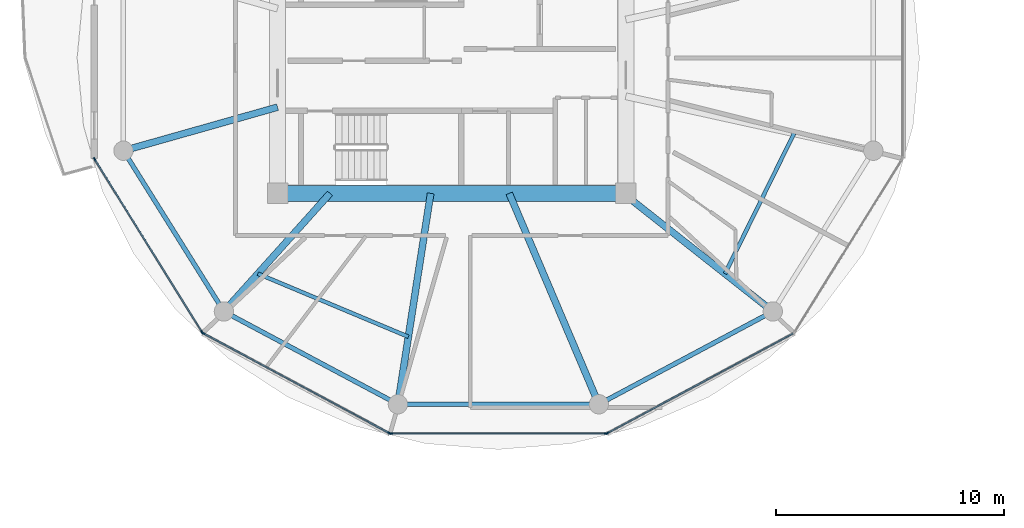
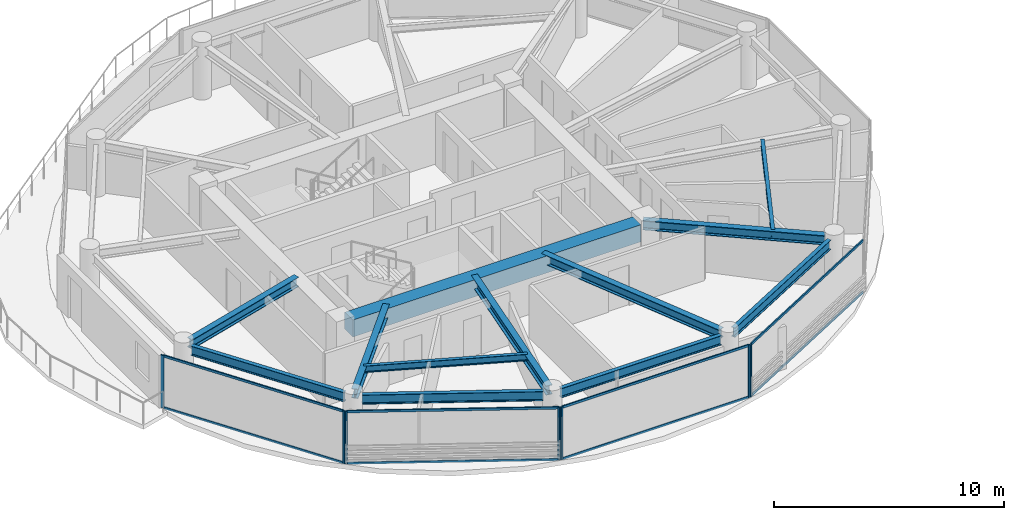
# One storey, part 2 of 24: 15 members, 12 beams, 4 elements without a shape of their own.
"""IFC4 building model written with IfcOpenShell, lengths in metres."""

from ifc_helpers import new_model, si_unit, direction, frame, origin, origin_2d, place, context, subcontext, project, spatial, rectangle, i_section, extrude, source, transform, mapped, material, layer, layer_set, material_profile, profile_set, type_object, type_shapes, element, aggregate, save


model = new_model("IFC4")

# Units and contexts
model_context = context("Model", 3, precision=1e-05, world=origin(), true_north=direction((0.0, 1.0)))
body_context = subcontext(model_context, "Body", "Model", "MODEL_VIEW")
ifc_project = project(units=[si_unit("LENGTHUNIT", "METRE"), si_unit("AREAUNIT", "SQUARE_METRE"), si_unit("VOLUMEUNIT", "CUBIC_METRE"), si_unit("PLANEANGLEUNIT", "RADIAN"), si_unit("MASSUNIT", "GRAM", prefix="KILO")], contexts=[model_context])

# Site, building, storey
site_placement = place(None, origin())
site = spatial("IfcSite", under=ifc_project, at=site_placement, CompositionType="ELEMENT")
building_placement = place(site_placement, origin())
building = spatial("IfcBuilding", under=site, at=building_placement, Name="Norrkilde Senior Care Towers", CompositionType="ELEMENT")
storey_placement = place(building_placement, frame((0.0, 0.0, 90.14990234375)))
storey = spatial("IfcBuildingStorey", under=building, at=storey_placement, Name="L27", CompositionType="ELEMENT", Elevation=90.14990234375)

# Beams
ifc_material_1 = material(Name="Concrete C60/75", Category="concrete")
ifc_material_profile_1 = material_profile(ifc_material_1, rectangle(XDim=0.699951171875, YDim=0.89990234375, at=origin_2d()), Name="RC BM 700x900")
ifc_profile_set_1 = profile_set([ifc_material_profile_1], Name="Concrete C60/75")
beam_type_1 = type_object("IfcBeamType", Name="Core Coupling Girder 700x900", PredefinedType="USERDEFINED", material=ifc_profile_set_1)
shared_shape_1 = source(origin(), body_context, "Body", "SweptSolid", [
    extrude(rectangle(XDim=0.699951171875, YDim=0.89990234375, at=origin_2d()), origin(), (0.0, 0.0, 1.0), 14.43994140625),
])
type_shapes(beam_type_1, [shared_shape_1])
beam_1_placement = place(storey_placement, frame((-35.219970703125, -5.949951171875, 2.340087890625), z_axis=(1.0, 0.0, 0.0), x_axis=(0.0, 1.0, 0.0)))
element("IfcBeam", 1, at=beam_1_placement, inside=storey, type_object=beam_type_1, Name="L27 Core W S Coupling Girder", ObjectType="GIRDER", PredefinedType="USERDEFINED", context=body_context, shape_type="MappedRepresentation", body=[
    mapped(shared_shape_1, transform((0.0, 0.0, 0.0), x_axis=(1.0, 0.0, 0.0), y_axis=(0.0, 1.0, 0.0), z_axis=(0.0, 0.0, 1.0), scale=1.0)),
])
ifc_material_2 = material(Name="Steel S355", Category="steel")
ifc_material_profile_2 = material_profile(ifc_material_2, i_section(OverallWidth=0.199951171875, OverallDepth=0.5, WebThickness=0.01025390625, FlangeThickness=0.01611328125, FilletRadius=0.02099609375, at=origin_2d()), Name="IPE 500")
ifc_profile_set_2 = profile_set([ifc_material_profile_2], Name="Steel S355")
beam_type_2 = type_object("IfcBeamType", Name="Perimeter Ring Spandrel Z2 IPE500", PredefinedType="SPANDREL", material=ifc_profile_set_2)
shared_shape_2 = source(origin(), body_context, "Body", "SweptSolid", [
    extrude(i_section(OverallWidth=0.199951171875, OverallDepth=0.5, WebThickness=0.01025390625, FlangeThickness=0.01611328125, FilletRadius=0.02099609375, at=origin_2d()), origin(), (0.0, 0.0, 1.0), 7.892333984375),
])
for number, where, z_axis, x_axis, name in (
    (2, (-37.66650390625, -11.318115234375, 2.5400390625), (0.882350372282, -0.47059305194, 0.0), (0.47059305194, 0.882350372282, 0.0), "L27 Drum W Perimeter Spandrel 08"),
    (3, (-21.197509765625, -15.0322265625, 2.5400390625), (0.882350372282, 0.47059305194, 0.0), (-0.47059305194, 0.882350372282, 0.0), "L27 Drum W Perimeter Spandrel 10"),
):
    element("IfcBeam", number, at=place(storey_placement, frame(where, z_axis=z_axis, x_axis=x_axis)), inside=storey, type_object=beam_type_2, Name=name, PredefinedType="SPANDREL", context=body_context, shape_type="MappedRepresentation", body=[
        mapped(shared_shape_2, transform((0.0, 0.0, 0.0), x_axis=(1.0, 0.0, 0.0), y_axis=(0.0, 1.0, 0.0), z_axis=(0.0, 0.0, 1.0), scale=1.0)),
    ])
ifc_material_profile_3 = material_profile(ifc_material_2, i_section(OverallWidth=0.300048828125, OverallDepth=0.5, WebThickness=0.014404296875, FlangeThickness=0.028076171875, FilletRadius=0.027099609375, at=origin_2d()), Name="HEB 500")
ifc_profile_set_3 = profile_set([ifc_material_profile_3], Name="Steel S355")
beam_type_3 = type_object("IfcBeamType", Name="Radial Floor Beam Z2 HEB500", PredefinedType="BEAM", material=ifc_profile_set_3)
shared_shape_3 = source(origin(), body_context, "Body", "SweptSolid", [
    extrude(i_section(OverallWidth=0.300048828125, OverallDepth=0.5, WebThickness=0.014404296875, FlangeThickness=0.028076171875, FilletRadius=0.027099609375, at=origin_2d()), origin(), (0.0, 0.0, 1.0), 7.985595703125),
])
beam_2_placement = place(storey_placement, frame((-20.463623046875, -5.949951171875, 2.5400390625), z_axis=(0.784858505144, -0.619675017169, 0.0), x_axis=(0.619675017169, 0.784858505144, 0.0)))
element("IfcBeam", 4, at=beam_2_placement, inside=storey, type_object=beam_type_3, Name="L27 Drum W Radial Floor Beam 11", PredefinedType="BEAM", context=body_context, shape_type="MappedRepresentation", body=[
    mapped(shared_shape_3, transform((0.0, 0.0, 0.0), x_axis=(1.0, 0.0, 0.0), y_axis=(0.0, 1.0, 0.0), z_axis=(0.0, 0.0, 1.0), scale=1.0)),
])
shared_shape_4 = source(origin(), body_context, "Body", "SweptSolid", [
    extrude(i_section(OverallWidth=0.199951171875, OverallDepth=0.5, WebThickness=0.01025390625, FlangeThickness=0.01611328125, FilletRadius=0.02099609375, at=origin_2d()), origin(), (0.0, 0.0, 1.0), 8.0556640625),
])
beam_3_placement = place(storey_placement, frame((-29.977783203125, -15.21337890625, 2.5400390625), z_axis=(1.0, 0.0, 0.0), x_axis=(0.0, 1.0, 0.0)))
element("IfcBeam", 5, at=beam_3_placement, inside=storey, type_object=beam_type_2, Name="L27 Drum W Perimeter Spandrel 09", PredefinedType="SPANDREL", context=body_context, shape_type="MappedRepresentation", body=[
    mapped(shared_shape_4, transform((0.0, 0.0, 0.0), x_axis=(1.0, 0.0, 0.0), y_axis=(0.0, 1.0, 0.0), z_axis=(0.0, 0.0, 1.0), scale=1.0)),
])
shared_shape_5 = source(origin(), body_context, "Body", "SweptSolid", [
    extrude(i_section(OverallWidth=0.300048828125, OverallDepth=0.5, WebThickness=0.014404296875, FlangeThickness=0.028076171875, FilletRadius=0.027099609375, at=origin_2d()), origin(), (0.0, 0.0, 1.0), 9.679443359375),
])
beam_4_placement = place(storey_placement, frame((-25.472412109375, -5.949951171875, 2.5400390625), z_axis=(0.390998033479, -0.920391513333, 0.0), x_axis=(0.920391513333, 0.390998033479, 0.0)))
element("IfcBeam", 6, at=beam_4_placement, inside=storey, type_object=beam_type_3, Name="L27 Drum W Radial Floor Beam 10", PredefinedType="BEAM", context=body_context, shape_type="MappedRepresentation", body=[
    mapped(shared_shape_5, transform((0.0, 0.0, 0.0), x_axis=(1.0, 0.0, 0.0), y_axis=(0.0, 1.0, 0.0), z_axis=(0.0, 0.0, 1.0), scale=1.0)),
])
shared_shape_6 = source(origin(), body_context, "Body", "SweptSolid", [
    extrude(i_section(OverallWidth=0.300048828125, OverallDepth=0.5, WebThickness=0.014404296875, FlangeThickness=0.028076171875, FilletRadius=0.027099609375, at=origin_2d()), origin(), (0.0, 0.0, 1.0), 8.989501953125),
])
beam_5_placement = place(storey_placement, frame((-28.924072265625, -5.949951171875, 2.5400390625), z_axis=(-0.153471298636, -0.988153105796, 0.0), x_axis=(0.988153105796, -0.153471298636, 0.0)))
element("IfcBeam", 7, at=beam_5_placement, inside=storey, type_object=beam_type_3, Name="L27 Drum W Radial Floor Beam 09", PredefinedType="BEAM", context=body_context, shape_type="MappedRepresentation", body=[
    mapped(shared_shape_6, transform((0.0, 0.0, 0.0), x_axis=(1.0, 0.0, 0.0), y_axis=(0.0, 1.0, 0.0), z_axis=(0.0, 0.0, 1.0), scale=1.0)),
])
shared_shape_7 = source(origin(), body_context, "Body", "SweptSolid", [
    extrude(i_section(OverallWidth=0.199951171875, OverallDepth=0.5, WebThickness=0.01025390625, FlangeThickness=0.01611328125, FilletRadius=0.02099609375, at=origin_2d()), origin(), (0.0, 0.0, 1.0), 7.556396484375),
])
type_shapes(beam_type_2, [shared_shape_2, shared_shape_4, shared_shape_7])
beam_6_placement = place(storey_placement, frame((-42.215087890625, -4.40283203125, 2.5400390625), z_axis=(0.530004748437, -0.847994673706, 0.0), x_axis=(0.847994673706, 0.530004748437, 0.0)))
element("IfcBeam", 8, at=beam_6_placement, inside=storey, type_object=beam_type_2, Name="L27 Drum W Perimeter Spandrel 07", PredefinedType="SPANDREL", context=body_context, shape_type="MappedRepresentation", body=[
    mapped(shared_shape_7, transform((0.0, 0.0, 0.0), x_axis=(1.0, 0.0, 0.0), y_axis=(0.0, 1.0, 0.0), z_axis=(0.0, 0.0, 1.0), scale=1.0)),
])
shared_shape_8 = source(origin(), body_context, "Body", "SweptSolid", [
    extrude(i_section(OverallWidth=0.300048828125, OverallDepth=0.5, WebThickness=0.014404296875, FlangeThickness=0.028076171875, FilletRadius=0.027099609375, at=origin_2d()), origin(), (0.0, 0.0, 1.0), 6.587890625),
])
beam_7_placement = place(storey_placement, frame((-33.345947265625, -5.949951171875, 2.5400390625), z_axis=(-0.668315438605, -0.743877997068, 0.0), x_axis=(0.743877997068, -0.668315438605, 0.0)))
element("IfcBeam", 9, at=beam_7_placement, inside=storey, type_object=beam_type_3, Name="L27 Drum W Radial Floor Beam 08", PredefinedType="BEAM", context=body_context, shape_type="MappedRepresentation", body=[
    mapped(shared_shape_8, transform((0.0, 0.0, 0.0), x_axis=(1.0, 0.0, 0.0), y_axis=(0.0, 1.0, 0.0), z_axis=(0.0, 0.0, 1.0), scale=1.0)),
])
shared_shape_9 = source(origin(), body_context, "Body", "SweptSolid", [
    extrude(i_section(OverallWidth=0.300048828125, OverallDepth=0.5, WebThickness=0.014404296875, FlangeThickness=0.028076171875, FilletRadius=0.027099609375, at=origin_2d()), origin(), (0.0, 0.0, 1.0), 6.6494140625),
])
type_shapes(beam_type_3, [shared_shape_3, shared_shape_5, shared_shape_6, shared_shape_8, shared_shape_9])
beam_8_placement = place(storey_placement, frame((-35.64990234375, -2.162841796875, 2.5400390625), z_axis=(-0.962289138357, -0.27202870106, 0.0), x_axis=(0.27202870106, -0.962289138357, 0.0)))
element("IfcBeam", 10, at=beam_8_placement, inside=storey, type_object=beam_type_3, Name="L27 Drum W Radial Floor Beam 07", PredefinedType="BEAM", context=body_context, shape_type="MappedRepresentation", body=[
    mapped(shared_shape_9, transform((0.0, 0.0, 0.0), x_axis=(1.0, 0.0, 0.0), y_axis=(0.0, 1.0, 0.0), z_axis=(0.0, 0.0, 1.0), scale=1.0)),
])
ifc_material_profile_4 = material_profile(ifc_material_2, i_section(OverallWidth=0.169921875, OverallDepth=0.360107421875, WebThickness=0.008056640625, FlangeThickness=0.0126953125, FilletRadius=0.01806640625, at=origin_2d()), Name="IPE 360")
ifc_profile_set_4 = profile_set([ifc_material_profile_4], Name="Steel S355")
beam_type_4 = type_object("IfcBeamType", Name="Secondary Floor Joist IPE360", PredefinedType="JOIST", material=ifc_profile_set_4)
shared_shape_10 = source(origin(), body_context, "Body", "SweptSolid", [
    extrude(i_section(OverallWidth=0.169921875, OverallDepth=0.360107421875, WebThickness=0.008056640625, FlangeThickness=0.0126953125, FilletRadius=0.01806640625, at=origin_2d()), origin(), (0.0, 0.0, 1.0), 7.169921875),
])
beam_9_placement = place(storey_placement, frame((-36.514892578125, -9.47705078125, 2.610107421875), z_axis=(0.922240600393, -0.386616444279, 0.0), x_axis=(0.386616444279, 0.922240600393, 0.0)))
element("IfcBeam", 11, at=beam_9_placement, inside=storey, type_object=beam_type_4, Name="L27 Drum W Secondary Floor Joist 3", PredefinedType="JOIST", context=body_context, shape_type="MappedRepresentation", body=[
    mapped(shared_shape_10, transform((0.0, 0.0, 0.0), x_axis=(1.0, 0.0, 0.0), y_axis=(0.0, 1.0, 0.0), z_axis=(0.0, 0.0, 1.0), scale=1.0)),
])
shared_shape_11 = source(origin(), body_context, "Body", "SweptSolid", [
    extrude(i_section(OverallWidth=0.169921875, OverallDepth=0.360107421875, WebThickness=0.008056640625, FlangeThickness=0.0126953125, FilletRadius=0.01806640625, at=origin_2d()), origin(), (0.0, 0.0, 1.0), 6.87353515625),
])
type_shapes(beam_type_4, [shared_shape_10, shared_shape_11])
beam_10_placement = place(storey_placement, frame((-15.99609375, -9.47705078125, 2.610107421875), z_axis=(0.44184939592, 0.897089243791, 0.0), x_axis=(-0.897089243791, 0.44184939592, 0.0)))
element("IfcBeam", 12, at=beam_10_placement, inside=storey, type_object=beam_type_4, Name="L27 Drum W Secondary Floor Joist 4", PredefinedType="JOIST", context=body_context, shape_type="MappedRepresentation", body=[
    mapped(shared_shape_11, transform((0.0, 0.0, 0.0), x_axis=(1.0, 0.0, 0.0), y_axis=(0.0, 1.0, 0.0), z_axis=(0.0, 0.0, 1.0), scale=1.0)),
])

# Curtain wall, members
ifc_material_3 = material(Name="Triple Low-E Insulated Glazing", Category="glass")
ifc_layer = layer(ifc_material_3, 0.195068359375)
ifc_layer_set = layer_set([ifc_layer], Name="Triple Low-E Insulated Glazing")
curtain_wall_type = type_object("IfcCurtainWallType", Name="CW3 Zone 2 Assisted Living Curtain Wall", PredefinedType="NOTDEFINED", material=ifc_layer_set)
curtain_wall_1_placement = place(storey_placement, origin())
curtain_wall_1 = element("IfcCurtainWall", 13, at=curtain_wall_1_placement, inside=storey, type_object=curtain_wall_type, Name="L27 Drum W Curtain Wall 06", PredefinedType="NOTDEFINED")
ifc_material_4 = material(Name="Anodised Aluminium", Category="aluminium")
ifc_material_profile_5 = material_profile(ifc_material_4, rectangle(XDim=0.06494140625, YDim=0.159912109375, at=origin_2d()), Name="ALU MULL 65x160")
ifc_profile_set_5 = profile_set([ifc_material_profile_5], Name="Anodised Aluminium")
member_type_1 = type_object("IfcMemberType", Name="Curtain Wall Mullion Z1-Z2 65x160", PredefinedType="MULLION", material=ifc_profile_set_5)
shared_shape_12 = source(origin(), body_context, "Body", "SweptSolid", [
    extrude(rectangle(XDim=0.06494140625, YDim=0.159912109375, at=origin_2d()), origin(), (0.0, 0.0, 1.0), 2.7900390625),
])
type_shapes(member_type_1, [shared_shape_12])
member_1_placement = place(storey_placement, frame((-38.9638671875, -12.0498046875, 0.0), z_axis=(0.0, 0.0, 1.0), x_axis=(-0.849410171862, -0.527733228002, 0.0)))
member_1 = element("IfcMember", 14, at=member_1_placement, type_object=member_type_1, Name="CW-3 mullion 1", PredefinedType="MULLION", context=body_context, shape_type="MappedRepresentation", body=[
    mapped(shared_shape_12, transform((0.0, 0.0, 0.0), x_axis=(1.0, 0.0, 0.0), y_axis=(0.0, 1.0, 0.0), z_axis=(0.0, 0.0, 1.0), scale=1.0)),
])
member_2_placement = place(storey_placement, frame((-43.6865234375, -4.4482421875, 0.0), z_axis=(0.0, 0.0, 1.0), x_axis=(-0.849410171862, -0.527733228002, 0.0)))
member_2 = element("IfcMember", 15, at=member_2_placement, type_object=member_type_1, Name="CW-3 mullion 2", PredefinedType="MULLION", context=body_context, shape_type="MappedRepresentation", body=[
    mapped(shared_shape_12, transform((0.0, 0.0, 0.0), x_axis=(1.0, 0.0, 0.0), y_axis=(0.0, 1.0, 0.0), z_axis=(0.0, 0.0, 1.0), scale=1.0)),
])

curtain_wall_2_placement = place(storey_placement, origin())
curtain_wall_2 = element("IfcCurtainWall", 16, at=curtain_wall_2_placement, inside=storey, type_object=curtain_wall_type, Name="L27 Drum W Curtain Wall 07", PredefinedType="NOTDEFINED")
member_3_placement = place(storey_placement, frame((-30.73583984375, -16.482666015625, 0.0), z_axis=(0.0, 0.0, 1.0), x_axis=(-0.472769402511, -0.881186184668, 0.0)))
member_3 = element("IfcMember", 17, at=member_3_placement, type_object=member_type_1, Name="CW-3 mullion 1", PredefinedType="MULLION", context=body_context, shape_type="MappedRepresentation", body=[
    mapped(shared_shape_12, transform((0.0, 0.0, 0.0), x_axis=(1.0, 0.0, 0.0), y_axis=(0.0, 1.0, 0.0), z_axis=(0.0, 0.0, 1.0), scale=1.0)),
])
member_4_placement = place(storey_placement, frame((-38.91796875, -12.0927734375, 0.0), z_axis=(0.0, 0.0, 1.0), x_axis=(-0.472769402511, -0.881186184668, 0.0)))
member_4 = element("IfcMember", 18, at=member_4_placement, type_object=member_type_1, Name="CW-3 mullion 2", PredefinedType="MULLION", context=body_context, shape_type="MappedRepresentation", body=[
    mapped(shared_shape_12, transform((0.0, 0.0, 0.0), x_axis=(1.0, 0.0, 0.0), y_axis=(0.0, 1.0, 0.0), z_axis=(0.0, 0.0, 1.0), scale=1.0)),
])

curtain_wall_3_placement = place(storey_placement, origin())
curtain_wall_3 = element("IfcCurtainWall", 19, at=curtain_wall_3_placement, inside=storey, type_object=curtain_wall_type, Name="L27 Drum W Curtain Wall 08", PredefinedType="NOTDEFINED")
member_5_placement = place(storey_placement, frame((-21.225341796875, -16.498046875, 0.0), z_axis=(0.0, 0.0, 1.0), x_axis=(0.0, -1.0, 0.0)))
member_5 = element("IfcMember", 20, at=member_5_placement, type_object=member_type_1, Name="CW-3 mullion 1", PredefinedType="MULLION", context=body_context, shape_type="MappedRepresentation", body=[
    mapped(shared_shape_12, transform((0.0, 0.0, 0.0), x_axis=(1.0, 0.0, 0.0), y_axis=(0.0, 1.0, 0.0), z_axis=(0.0, 0.0, 1.0), scale=1.0)),
])
member_6_placement = place(storey_placement, frame((-30.674560546875, -16.498046875, 0.0), z_axis=(0.0, 0.0, 1.0), x_axis=(0.0, -1.0, 0.0)))
member_6 = element("IfcMember", 21, at=member_6_placement, type_object=member_type_1, Name="CW-3 mullion 2", PredefinedType="MULLION", context=body_context, shape_type="MappedRepresentation", body=[
    mapped(shared_shape_12, transform((0.0, 0.0, 0.0), x_axis=(1.0, 0.0, 0.0), y_axis=(0.0, 1.0, 0.0), z_axis=(0.0, 0.0, 1.0), scale=1.0)),
])

# Curtain wall, member
curtain_wall_4_placement = place(storey_placement, origin())
curtain_wall_4 = element("IfcCurtainWall", 22, at=curtain_wall_4_placement, inside=storey, type_object=curtain_wall_type, Name="L27 Drum W Curtain Wall 09", PredefinedType="NOTDEFINED")
member_7_placement = place(storey_placement, frame((-21.164306640625, -16.482666015625, 0.0), z_axis=(0.0, 0.0, 1.0), x_axis=(0.472769402511, -0.881186184668, 0.0)))
member_7 = element("IfcMember", 23, at=member_7_placement, type_object=member_type_1, Name="CW-3 mullion 2", PredefinedType="MULLION", context=body_context, shape_type="MappedRepresentation", body=[
    mapped(shared_shape_12, transform((0.0, 0.0, 0.0), x_axis=(1.0, 0.0, 0.0), y_axis=(0.0, 1.0, 0.0), z_axis=(0.0, 0.0, 1.0), scale=1.0)),
])

# Member
ifc_material_profile_6 = material_profile(ifc_material_4, rectangle(XDim=0.06005859375, YDim=0.1201171875, at=origin_2d()), Name="ALU TRAN 60x120")
ifc_profile_set_6 = profile_set([ifc_material_profile_6], Name="Anodised Aluminium")
member_type_2 = type_object("IfcMemberType", Name="Curtain Wall Transom Typical 60x120", PredefinedType="USERDEFINED", material=ifc_profile_set_6)
shared_shape_13 = source(origin(), body_context, "Body", "SweptSolid", [
    extrude(rectangle(XDim=0.06005859375, YDim=0.1201171875, at=origin_2d()), origin(), (0.0, 0.0, 1.0), 8.88427734375),
])
member_8_placement = place(storey_placement, frame((-38.98095703125, -12.022216796875, 0.030029296875), z_axis=(-0.527729466743, 0.849412508697, 0.0), x_axis=(-0.849412508697, -0.527729466743, 0.0)))
member_8 = element("IfcMember", 24, at=member_8_placement, type_object=member_type_2, Name="CW-3 transom 1.1", ObjectType="TRANSOM", PredefinedType="USERDEFINED", context=body_context, shape_type="MappedRepresentation", body=[
    mapped(shared_shape_13, transform((0.0, 0.0, 0.0), x_axis=(1.0, 0.0, 0.0), y_axis=(0.0, 1.0, 0.0), z_axis=(0.0, 0.0, 1.0), scale=1.0)),
])

member_9_placement = place(storey_placement, frame((-38.98095703125, -12.022216796875, 2.760009765625), z_axis=(-0.527729466743, 0.849412508697, 0.0), x_axis=(-0.849412508697, -0.527729466743, 0.0)))
member_9 = element("IfcMember", 25, at=member_9_placement, type_object=member_type_2, Name="CW-3 transom 1.2", ObjectType="TRANSOM", PredefinedType="USERDEFINED", context=body_context, shape_type="MappedRepresentation", body=[
    mapped(shared_shape_13, transform((0.0, 0.0, 0.0), x_axis=(1.0, 0.0, 0.0), y_axis=(0.0, 1.0, 0.0), z_axis=(0.0, 0.0, 1.0), scale=1.0)),
])

aggregate(curtain_wall_1, [member_1, member_2, member_8, member_9])

shared_shape_14 = source(origin(), body_context, "Body", "SweptSolid", [
    extrude(rectangle(XDim=0.06005859375, YDim=0.1201171875, at=origin_2d()), origin(), (0.0, 0.0, 1.0), 9.220458984375),
])
member_10_placement = place(storey_placement, frame((-30.764404296875, -16.46728515625, 0.030029296875), z_axis=(-0.881188517866, 0.472765053681, 0.0), x_axis=(-0.472765053681, -0.881188517866, 0.0)))
member_10 = element("IfcMember", 26, at=member_10_placement, type_object=member_type_2, Name="CW-3 transom 1.1", ObjectType="TRANSOM", PredefinedType="USERDEFINED", context=body_context, shape_type="MappedRepresentation", body=[
    mapped(shared_shape_14, transform((0.0, 0.0, 0.0), x_axis=(1.0, 0.0, 0.0), y_axis=(0.0, 1.0, 0.0), z_axis=(0.0, 0.0, 1.0), scale=1.0)),
])

member_11_placement = place(storey_placement, frame((-30.764404296875, -16.46728515625, 2.760009765625), z_axis=(-0.881188517866, 0.472765053681, 0.0), x_axis=(-0.472765053681, -0.881188517866, 0.0)))
member_11 = element("IfcMember", 27, at=member_11_placement, type_object=member_type_2, Name="CW-3 transom 1.2", ObjectType="TRANSOM", PredefinedType="USERDEFINED", context=body_context, shape_type="MappedRepresentation", body=[
    mapped(shared_shape_14, transform((0.0, 0.0, 0.0), x_axis=(1.0, 0.0, 0.0), y_axis=(0.0, 1.0, 0.0), z_axis=(0.0, 0.0, 1.0), scale=1.0)),
])

aggregate(curtain_wall_2, [member_3, member_4, member_10, member_11])

member_12_placement = place(storey_placement, frame((-13.0107421875, -12.108154296875, 0.030029296875), z_axis=(-0.881188517866, -0.472765053681, 0.0), x_axis=(0.472765053681, -0.881188517866, 0.0)))
member_12 = element("IfcMember", 28, at=member_12_placement, type_object=member_type_2, Name="CW-3 transom 1.1", ObjectType="TRANSOM", PredefinedType="USERDEFINED", context=body_context, shape_type="MappedRepresentation", body=[
    mapped(shared_shape_14, transform((0.0, 0.0, 0.0), x_axis=(1.0, 0.0, 0.0), y_axis=(0.0, 1.0, 0.0), z_axis=(0.0, 0.0, 1.0), scale=1.0)),
])

member_13_placement = place(storey_placement, frame((-13.0107421875, -12.108154296875, 2.760009765625), z_axis=(-0.881188517866, -0.472765053681, 0.0), x_axis=(0.472765053681, -0.881188517866, 0.0)))
member_13 = element("IfcMember", 29, at=member_13_placement, type_object=member_type_2, Name="CW-3 transom 1.2", ObjectType="TRANSOM", PredefinedType="USERDEFINED", context=body_context, shape_type="MappedRepresentation", body=[
    mapped(shared_shape_14, transform((0.0, 0.0, 0.0), x_axis=(1.0, 0.0, 0.0), y_axis=(0.0, 1.0, 0.0), z_axis=(0.0, 0.0, 1.0), scale=1.0)),
])

aggregate(curtain_wall_4, [member_7, member_12, member_13])

shared_shape_15 = source(origin(), body_context, "Body", "SweptSolid", [
    extrude(rectangle(XDim=0.06005859375, YDim=0.1201171875, at=origin_2d()), origin(), (0.0, 0.0, 1.0), 9.38427734375),
])
type_shapes(member_type_2, [shared_shape_13, shared_shape_14, shared_shape_15])
member_14_placement = place(storey_placement, frame((-21.2578125, -16.498046875, 0.030029296875), z_axis=(-1.0, 0.0, 0.0), x_axis=(0.0, -1.0, 0.0)))
member_14 = element("IfcMember", 30, at=member_14_placement, type_object=member_type_2, Name="CW-3 transom 1.1", ObjectType="TRANSOM", PredefinedType="USERDEFINED", context=body_context, shape_type="MappedRepresentation", body=[
    mapped(shared_shape_15, transform((0.0, 0.0, 0.0), x_axis=(1.0, 0.0, 0.0), y_axis=(0.0, 1.0, 0.0), z_axis=(0.0, 0.0, 1.0), scale=1.0)),
])

member_15_placement = place(storey_placement, frame((-21.2578125, -16.498046875, 2.760009765625), z_axis=(-1.0, 0.0, 0.0), x_axis=(0.0, -1.0, 0.0)))
member_15 = element("IfcMember", 31, at=member_15_placement, type_object=member_type_2, Name="CW-3 transom 1.2", ObjectType="TRANSOM", PredefinedType="USERDEFINED", context=body_context, shape_type="MappedRepresentation", body=[
    mapped(shared_shape_15, transform((0.0, 0.0, 0.0), x_axis=(1.0, 0.0, 0.0), y_axis=(0.0, 1.0, 0.0), z_axis=(0.0, 0.0, 1.0), scale=1.0)),
])

aggregate(curtain_wall_3, [member_5, member_6, member_14, member_15])

save(model, "model.ifc")
